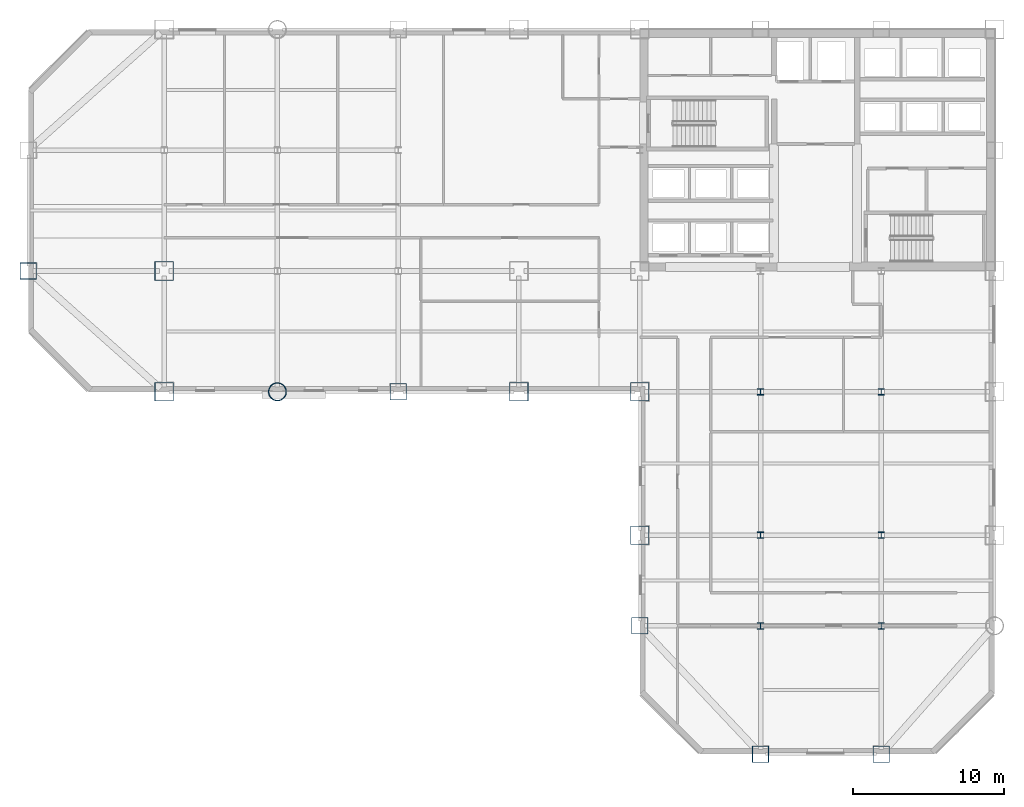
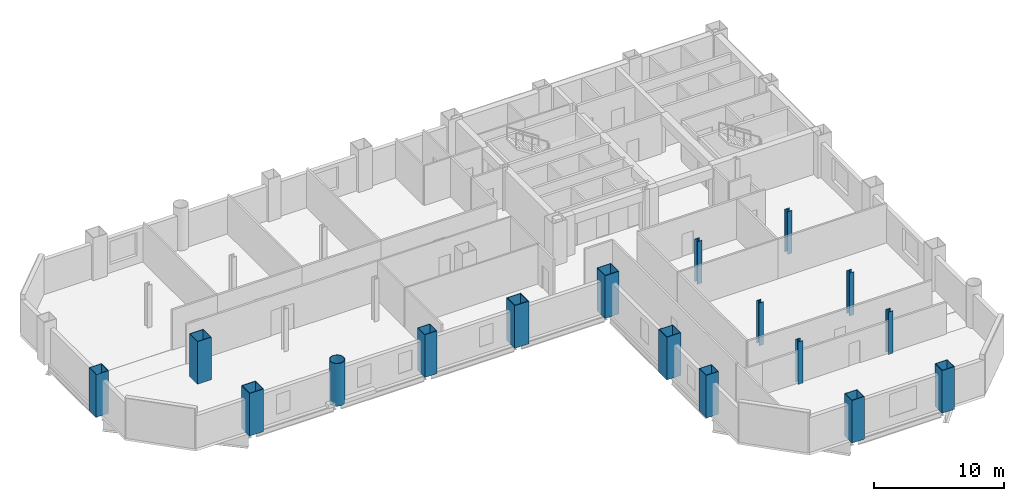
# One storey, part 1 of 9: 17 columns.
"""IFC4 building model written with IfcOpenShell, lengths in metres."""

from ifc_helpers import new_model, si_unit, direction, frame, origin, origin_2d, place, context, subcontext, project, spatial, hollow_rectangle, hollow_circle, i_section, extrude, material, material_profile, profile_set, type_object, element, save


model = new_model("IFC4")

# Units and contexts
model_context = context("Model", 3, precision=1e-05, world=origin(), true_north=direction((0.0, 1.0)))
body_context = subcontext(model_context, "Body", "Model", "MODEL_VIEW")
ifc_project = project(units=[si_unit("LENGTHUNIT", "METRE"), si_unit("AREAUNIT", "SQUARE_METRE"), si_unit("VOLUMEUNIT", "CUBIC_METRE"), si_unit("PLANEANGLEUNIT", "RADIAN"), si_unit("MASSUNIT", "GRAM", prefix="KILO")], contexts=[model_context])

# Site, building, storey
site_placement = place(None, origin())
site = spatial("IfcSite", under=ifc_project, at=site_placement, CompositionType="ELEMENT")
building_placement = place(site_placement, origin())
building = spatial("IfcBuilding", under=site, at=building_placement, Name="Qianrong Seaharbour Tower", CompositionType="ELEMENT")
storey_placement = place(building_placement, frame((0.0, 0.0, 84.199951171875)))
storey = spatial("IfcBuildingStorey", under=building, at=storey_placement, Name="L20", CompositionType="ELEMENT", Elevation=84.199951171875)

# Columns
ifc_material = material(Name="Structural steel SN490B", Category="steel")
ifc_material_profile_1 = material_profile(ifc_material, hollow_rectangle(XDim=1.25, YDim=1.25, WallThickness=0.044921875, at=origin_2d()), Name="BOX1250x1250x45")
ifc_profile_set_1 = profile_set([ifc_material_profile_1], Name="Structural steel SN490B")
column_type_1 = type_object("IfcColumnType", Name="COL-CFT-1250", PredefinedType="COLUMN", material=ifc_profile_set_1)
for number, where, z_axis, x_axis, name in (
    (1, (9.0, 28.0, 0.0), (0.0, 0.0, 1.0), (1.0, 0.0, 0.0), "L20 Column MC-2 at G2/GE"),
    (2, (9.0, 36.0, 0.0), (0.0, 0.0, 1.0), (1.0, 0.0, 0.0), "L20 Column MC-2 at G2/GF"),
    (3, (32.5, 28.0, 0.0), (0.0, 0.0, 1.0), (1.0, 0.0, 0.0), "L20 Column MC-2 at G5/GE"),
    (4, (40.5, 18.5, 0.0), (0.0, 0.0, 1.0), (1.0, 0.0, 0.0), "L20 Column MC-2 at G6/GD"),
    (5, (40.5, 28.0, 0.0), (0.0, 0.0, 1.0), (1.0, 0.0, 0.0), "L20 Column MC-2 at G6/GE"),
):
    element("IfcColumn", number, at=place(storey_placement, frame(where, z_axis=z_axis, x_axis=x_axis)), inside=storey, type_object=column_type_1, Name=name, PredefinedType="COLUMN", context=body_context, shape_type="SweptSolid", body=[
        extrude(hollow_rectangle(XDim=1.25, YDim=1.25, WallThickness=0.044921875, at=origin_2d()), origin(), (0.0, 0.0, 1.0), 4.0),
    ])
ifc_material_profile_2 = material_profile(ifc_material, hollow_circle(Radius=0.60009765625, WallThickness=0.0400390625, at=origin_2d()), Name="CHS1200x40")
ifc_profile_set_2 = profile_set([ifc_material_profile_2], Name="Structural steel SN490B")
column_type_2 = type_object("IfcColumnType", Name="COL-CHS-1200", PredefinedType="COLUMN", material=ifc_profile_set_2)
column_placement = place(storey_placement, frame((16.5, 28.0, 0.0), z_axis=(0.0, 0.0, 1.0), x_axis=(1.0, 0.0, 0.0)))
element("IfcColumn", 6, at=column_placement, inside=storey, type_object=column_type_2, Name="L20 Column CC-1 at G3/GE", PredefinedType="COLUMN", context=body_context, shape_type="SweptSolid", body=[
    extrude(hollow_circle(Radius=0.60009765625, WallThickness=0.0400390625, at=origin_2d()), origin(), (0.0, 0.0, 1.0), 4.0),
])
ifc_material_profile_3 = material_profile(ifc_material, i_section(OverallWidth=0.406982421875, OverallDepth=0.427978515625, WebThickness=0.02001953125, FlangeThickness=0.034912109375, FilletRadius=0.02197265625, at=origin_2d()), Name="H428x407x20x35")
ifc_profile_set_3 = profile_set([ifc_material_profile_3], Name="Structural steel SN490B")
column_type_3 = type_object("IfcColumnType", Name="COL-INT-H428", PredefinedType="COLUMN", material=ifc_profile_set_3)
for number, where, z_axis, x_axis, name in (
    (7, (48.5, 12.5, 0.0), (0.0, 0.0, 1.0), (1.0, 0.0, 0.0), "L20 Column IC-2 at G7/GC"),
    (8, (48.5, 18.5, 0.0), (0.0, 0.0, 1.0), (1.0, 0.0, 0.0), "L20 Column IC-2 at G7/GD"),
    (9, (48.5, 28.0, 0.0), (0.0, 0.0, 1.0), (1.0, 0.0, 0.0), "L20 Column IC-2 at G7/GE"),
    (10, (56.5, 12.5, 0.0), (0.0, 0.0, 1.0), (1.0, 0.0, 0.0), "L20 Column IC-2 at G8/GC"),
    (11, (56.5, 18.5, 0.0), (0.0, 0.0, 1.0), (1.0, 0.0, 0.0), "L20 Column IC-2 at G8/GD"),
    (12, (56.5, 28.0, 0.0), (0.0, 0.0, 1.0), (1.0, 0.0, 0.0), "L20 Column IC-2 at G8/GE"),
):
    element("IfcColumn", number, at=place(storey_placement, frame(where, z_axis=z_axis, x_axis=x_axis)), inside=storey, type_object=column_type_3, Name=name, PredefinedType="COLUMN", context=body_context, shape_type="SweptSolid", body=[
        extrude(i_section(OverallWidth=0.406982421875, OverallDepth=0.427978515625, WebThickness=0.02001953125, FlangeThickness=0.034912109375, FilletRadius=0.02197265625, at=origin_2d()), origin(), (0.0, 0.0, 1.0), 4.0),
    ])
ifc_material_profile_4 = material_profile(ifc_material, hollow_rectangle(XDim=1.10009765625, YDim=1.10009765625, WallThickness=0.0400390625, at=origin_2d()), Name="BOX1100x1100x40")
ifc_profile_set_4 = profile_set([ifc_material_profile_4], Name="Structural steel SN490B")
column_type_4 = type_object("IfcColumnType", Name="COL-PER-1100", PredefinedType="COLUMN", material=ifc_profile_set_4)
for number, where, z_axis, x_axis, name in (
    (13, (0.0, 36.0, 0.0), (0.0, 0.0, 1.0), (1.0, 0.0, 0.0), "L20 Column PC-1 at G1/GF"),
    (14, (24.5, 28.0, 0.0), (0.0, 0.0, 1.0), (1.0, 0.0, 0.0), "L20 Column PC-1 at G4/GE"),
    (15, (40.5, 12.5, 0.0), (0.0, 0.0, 1.0), (1.0, 0.0, 0.0), "L20 Column PC-1 at G6/GC"),
    (16, (48.5, 4.0, 0.0), (0.0, 0.0, 1.0), (1.0, 0.0, 0.0), "L20 Column PC-1 at G7/GB"),
    (17, (56.5, 4.0, 0.0), (0.0, 0.0, 1.0), (1.0, 0.0, 0.0), "L20 Column PC-1 at G8/GB"),
):
    element("IfcColumn", number, at=place(storey_placement, frame(where, z_axis=z_axis, x_axis=x_axis)), inside=storey, type_object=column_type_4, Name=name, PredefinedType="COLUMN", context=body_context, shape_type="SweptSolid", body=[
        extrude(hollow_rectangle(XDim=1.10009765625, YDim=1.10009765625, WallThickness=0.0400390625, at=origin_2d()), origin(), (0.0, 0.0, 1.0), 4.0),
    ])

save(model, "model.ifc")
